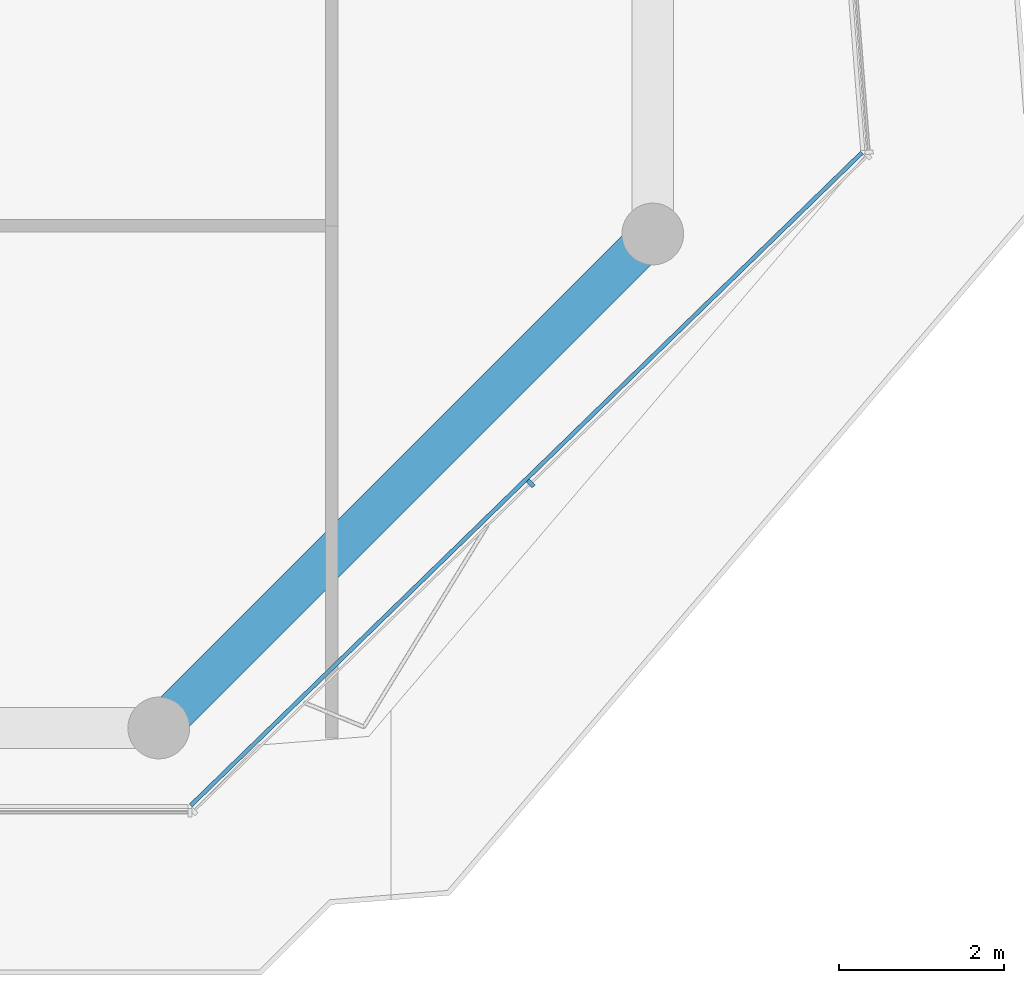
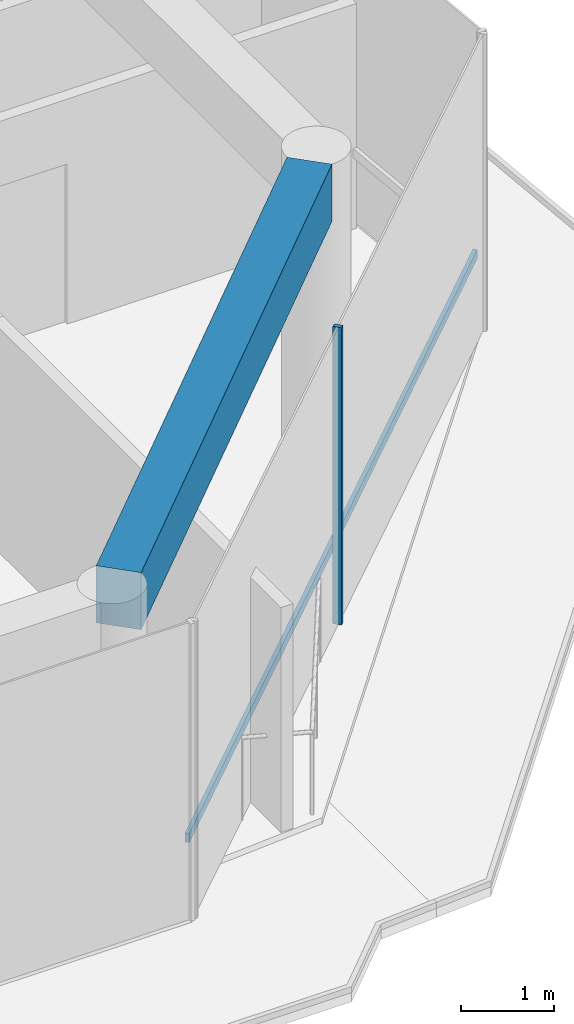
# One storey, part 4 of 20: 2 members, 1 beam, 1 element without a shape of its own.
"""IFC4 building model written with IfcOpenShell, lengths in metres."""

import ifcopenshell
import ifcopenshell.guid

model = None  # the IFC model being written
_history = None  # IfcOwnerHistory: only IFC2X3 demands one
_inside = {}  # id of a spatial element -> (the spatial element, [elements in it])
_under = {}  # id of a project, library or spatial element -> (it, [spatial elements below it])
_declared = {}  # id of a project -> (the project, [libraries it declares])
_typed = {}  # id of a type object -> (the type object, [elements of that type])
_made_of = {}  # id of a material, layer set ... -> (it, [elements and type objects made of it])


def new_model(schema):
    """Start an empty IFC model of exactly this schema.

    Asked for "IFC4X3", IfcOpenShell would pick the latest addendum, in which some entities
    have other attributes; the version numbers below select the first issue.
    IFC2X3 requires an IfcOwnerHistory on every rooted entity: one is made here for all.
    """
    global model, _history
    if schema == "IFC4X3":
        model = ifcopenshell.file(schema_version=(4, 3, 0, 0))
    else:
        model = ifcopenshell.file(schema=schema)
    _inside.clear()
    _under.clear()
    _declared.clear()
    _typed.clear()
    _made_of.clear()
    _history = None
    if model.schema == "IFC2X3":
        org = make("IfcOrganization", Name="unknown")
        user = make(
            "IfcPersonAndOrganization",
            ThePerson=make("IfcPerson", FamilyName="unknown"),
            TheOrganization=org,
        )
        app = make(
            "IfcApplication",
            ApplicationDeveloper=org,
            Version="unknown",
            ApplicationFullName="unknown",
            ApplicationIdentifier="unknown",
        )
        _history = make(
            "IfcOwnerHistory",
            OwningUser=user,
            OwningApplication=app,
            ChangeAction="ADDED",
            CreationDate=0,
        )
    return model


def make(cls, **values):
    """One entity of the class cls with the attributes given. An attribute that is None is left unset."""
    return model.create_entity(
        cls, **{name: value for name, value in values.items() if value is not None}
    )


def rooted(cls, **values):
    """An entity with a GlobalId (a new one), such as an element, a storey or a relation."""
    return make(cls, GlobalId=ifcopenshell.guid.new(), OwnerHistory=_history, **values)


def si_unit(unit_type, name, prefix=None):
    """IfcSIUnit, for example si_unit("LENGTHUNIT", "METRE", prefix="MILLI")."""
    return make("IfcSIUnit", UnitType=unit_type, Prefix=prefix, Name=name)


def assignment(units):
    """IfcUnitAssignment: the units of a project."""
    return None if units is None else make("IfcUnitAssignment", Units=units)


def point(xyz):
    """IfcCartesianPoint."""
    return None if xyz is None else make("IfcCartesianPoint", Coordinates=xyz)


def direction(xyz):
    """IfcDirection."""
    return None if xyz is None else make("IfcDirection", DirectionRatios=xyz)


def frame(location, z_axis=None, x_axis=None):
    """IfcAxis2Placement3D, a coordinate frame: its origin and axes. An axis left out is left unset."""
    return make(
        "IfcAxis2Placement3D",
        Location=point(location),
        Axis=direction(z_axis),
        RefDirection=direction(x_axis),
    )


def frame_2d(location, x_axis=None):
    """IfcAxis2Placement2D, a coordinate frame in the plane: its origin and x axis."""
    return make(
        "IfcAxis2Placement2D", Location=point(location), RefDirection=direction(x_axis)
    )


def origin():
    """The frame at (0, 0, 0) with its axes left unset."""
    return frame((0.0, 0.0, 0.0))


def origin_2d():
    """The frame at (0, 0) in the plane with its x axis left unset."""
    return frame_2d((0.0, 0.0))


def place(relative_to, where):
    """IfcLocalPlacement: puts the frame where relative to a parent placement (None: the world)."""
    return make(
        "IfcLocalPlacement", PlacementRelTo=relative_to, RelativePlacement=where
    )


def context(
    kind, dimensions, precision=None, world=None, true_north=None, identifier=None
):
    """IfcGeometricRepresentationContext, for example the 3D "Model" context."""
    return make(
        "IfcGeometricRepresentationContext",
        ContextIdentifier=identifier,
        ContextType=kind,
        CoordinateSpaceDimension=dimensions,
        Precision=precision,
        WorldCoordinateSystem=world,
        TrueNorth=true_north,
    )


def subcontext(parent, identifier, kind, view, scale=None):
    """IfcGeometricRepresentationSubContext, for example "Body" below "Model"."""
    return make(
        "IfcGeometricRepresentationSubContext",
        ContextIdentifier=identifier,
        ContextType=kind,
        ParentContext=parent,
        TargetScale=scale,
        TargetView=view,
    )


def project(units=None, contexts=None):
    """IfcProject with its units and contexts."""
    return rooted(
        "IfcProject",
        Name="project",
        RepresentationContexts=contexts,
        UnitsInContext=assignment(units),
    )


def spatial(cls, under=None, at=None, **own):
    """A site, building, storey or space (cls), placed at a placement, below another one or the project."""
    s = rooted(cls, ObjectPlacement=at, **own)
    if under is not None:
        _under.setdefault(under.id(), (under, []))[1].append(s)
    return s


def profile(cls, at=None, kind="AREA", **sizes):
    """A parametric profile (cls). Its sizes go by their IFC names, for example OverallWidth=200.0."""
    return make(cls, ProfileType=kind, Position=at, **sizes)


def rectangle(**sizes):
    """IfcRectangleProfileDef."""
    return profile("IfcRectangleProfileDef", **sizes)


def extrude(swept, where, along, depth):
    """IfcExtrudedAreaSolid: the profile swept, set in the frame where, extruded along a direction by depth."""
    return make(
        "IfcExtrudedAreaSolid",
        SweptArea=swept,
        Position=where,
        ExtrudedDirection=direction(along),
        Depth=depth,
    )


def shape(context_of_items, identifier, shape_type, items):
    """IfcShapeRepresentation: the items that make up one representation, for example the "Body"."""
    return make(
        "IfcShapeRepresentation",
        ContextOfItems=context_of_items,
        RepresentationIdentifier=identifier,
        RepresentationType=shape_type,
        Items=items,
    )


def material(Name=None, Category=None):
    """IfcMaterial."""
    return make("IfcMaterial", Name=Name, Category=Category)


def layer(
    of_material, thickness, ventilated=None, Name=None, Category=None, Priority=None
):
    """IfcMaterialLayer: one layer of a wall or slab, of a material (None: an air gap)."""
    return make(
        "IfcMaterialLayer",
        Material=of_material,
        LayerThickness=thickness,
        IsVentilated=ventilated,
        Name=Name,
        Category=Category,
        Priority=Priority,
    )


def layer_set(layers, Name=None):
    """IfcMaterialLayerSet."""
    return make("IfcMaterialLayerSet", MaterialLayers=layers, LayerSetName=Name)


def material_profile(
    of_material, cross_section, Name=None, Category=None, Priority=None
):
    """IfcMaterialProfile: a cross section and its material."""
    return make(
        "IfcMaterialProfile",
        Name=Name,
        Material=of_material,
        Profile=cross_section,
        Priority=Priority,
        Category=Category,
    )


def profile_set(profiles, Name=None, composite=None):
    """IfcMaterialProfileSet."""
    return make(
        "IfcMaterialProfileSet",
        Name=Name,
        MaterialProfiles=profiles,
        CompositeProfile=composite,
    )


def made_of(thing, what):
    """Note that an element or type object is made of a material, layer set ...; save() writes the relation."""
    if what is not None:
        _made_of.setdefault(what.id(), (what, []))[1].append(thing)
    return thing


def type_object(cls, material=None, **own):
    """A type object (cls), such as IfcWallType, which elements share."""
    return made_of(rooted(cls, **own), material)


def element(
    cls,
    number,
    at=None,
    inside=None,
    cuts=None,
    type_object=None,
    material=None,
    context=None,
    identifier="Body",
    shape_type=None,
    held_by="IfcProductDefinitionShape",
    body=None,
    shapes=None,
    **own,
):
    """One element of the class cls, such as IfcWall. Its Tag is "e" and its number.

    at: its placement. inside: the storey or other place that contains it. cuts: it is an
    opening in that element (IfcRelVoidsElement). A single representation is given by context,
    identifier, shape_type and body (its items); several are given by shapes. held_by: the class
    of the entity that holds the representations. save() writes the other relations.
    """
    e = rooted(cls, Tag="e%d" % number, ObjectPlacement=at, **own)
    if body is not None:
        shapes = [shape(context, identifier, shape_type, body)]
    if shapes is not None:
        e.Representation = make(held_by, Representations=shapes)
    if inside is not None:
        _inside.setdefault(inside.id(), (inside, []))[1].append(e)
    if cuts is not None:
        rooted(
            "IfcRelVoidsElement", RelatingBuildingElement=cuts, RelatedOpeningElement=e
        )
    if type_object is not None:
        _typed.setdefault(type_object.id(), (type_object, []))[1].append(e)
    return made_of(e, material)


def aggregate(whole, parts):
    """IfcRelAggregates: a whole, such as a stair, and the parts it consists of."""
    return rooted("IfcRelAggregates", RelatingObject=whole, RelatedObjects=parts)


def save(model, path):
    """Write the relations noted so far, then the file.

    IfcRelAggregates (storeys below a building ...), IfcRelContainedInSpatialStructure (elements
    in a storey), IfcRelDefinesByType, IfcRelAssociatesMaterial and IfcRelDeclares: one each for
    every whole, place, type object, material and project.
    """
    for whole, parts in _under.values():
        aggregate(whole, parts)
    for where, things in _inside.values():
        rooted(
            "IfcRelContainedInSpatialStructure",
            RelatedElements=things,
            RelatingStructure=where,
        )
    for kind, things in _typed.values():
        rooted("IfcRelDefinesByType", RelatedObjects=things, RelatingType=kind)
    for what, things in _made_of.values():
        rooted("IfcRelAssociatesMaterial", RelatedObjects=things, RelatingMaterial=what)
    for by, libraries in _declared.values():
        rooted("IfcRelDeclares", RelatingContext=by, RelatedDefinitions=libraries)
    model.write(path)


model = new_model("IFC4")

# Units and contexts
model_context = context("Model", 3, precision=1e-05, world=origin(), true_north=direction((0.0, 1.0)))
body_context = subcontext(model_context, "Body", "Model", "MODEL_VIEW")
ifc_project = project(units=[si_unit("LENGTHUNIT", "METRE"), si_unit("AREAUNIT", "SQUARE_METRE"), si_unit("VOLUMEUNIT", "CUBIC_METRE"), si_unit("PLANEANGLEUNIT", "RADIAN"), si_unit("MASSUNIT", "GRAM", prefix="KILO")], contexts=[model_context])

# Site, building, storey
site_placement = place(None, origin())
site = spatial("IfcSite", under=ifc_project, at=site_placement, CompositionType="ELEMENT")
building_placement = place(site_placement, origin())
building = spatial("IfcBuilding", under=site, at=building_placement, Name="Welwitschia Terrace Campus", CompositionType="ELEMENT")
storey_placement = place(building_placement, frame((0.0, 0.0, 314.60009765625)))
storey = spatial("IfcBuildingStorey", under=building, at=storey_placement, Name="L70", CompositionType="ELEMENT", Elevation=314.60009765625)

# Curtain wall, member
ifc_material_1 = material(Name="Bronze anodised aluminium", Category="aluminium")
ifc_layer = layer(ifc_material_1, 0.10009765625)
ifc_layer_set = layer_set([ifc_layer], Name="Bronze anodised aluminium")
curtain_wall_type = type_object("IfcCurtainWallType", Name="Curtain wall CW5 crown 6000", PredefinedType="NOTDEFINED", material=ifc_layer_set)
curtain_wall_placement = place(storey_placement, origin())
curtain_wall = element("IfcCurtainWall", 1, at=curtain_wall_placement, inside=storey, type_object=curtain_wall_type, Name="CW L70.2.0", PredefinedType="NOTDEFINED")
ifc_material_2 = material(Name="Bronze anodised aluminium", Category="aluminium")
ifc_material_profile_1 = material_profile(ifc_material_2, rectangle(XDim=0.10009765625, YDim=0.050048828125, at=origin_2d()))
ifc_profile_set_1 = profile_set([ifc_material_profile_1], Name="Bronze anodised aluminium")
member_type_1 = type_object("IfcMemberType", Name="Mullion 50x100", PredefinedType="MULLION", material=ifc_profile_set_1)
member_1_placement = place(storey_placement, frame((28.516845703125, -1.0302734375, 0.0), z_axis=(0.0, 0.0, 1.0), x_axis=(-0.697209979532, 0.716866964255, 0.0)))
member_1 = element("IfcMember", 2, at=member_1_placement, type_object=member_type_1, Name="Mullion L70.2.0.1", PredefinedType="MULLION", context=body_context, shape_type="SweptSolid", body=[
    extrude(rectangle(XDim=0.10009765625, YDim=0.050048828125, at=origin_2d()), origin(), (0.0, 0.0, 1.0), 3.89990234375),
])

# Beam
ifc_material_3 = material(Name="Concrete C40/50", Category="concrete")
ifc_material_profile_2 = material_profile(ifc_material_3, rectangle(XDim=0.5, YDim=0.75, at=origin_2d()))
ifc_profile_set_2 = profile_set([ifc_material_profile_2], Name="Concrete C40/50")
beam_type = type_object("IfcBeamType", Name="Ring spandrel 500x750", PredefinedType="SPANDREL", material=ifc_profile_set_2)
beam_placement = place(storey_placement, frame((24.1982421875, -3.8017578125, 3.52490234375), z_axis=(0.707106781187, 0.707106781187, 0.0), x_axis=(-0.707106781187, 0.707106781187, 0.0)))
element("IfcBeam", 3, at=beam_placement, inside=storey, type_object=beam_type, Name="Spandrel SP5", PredefinedType="SPANDREL", context=body_context, shape_type="SweptSolid", body=[
    extrude(rectangle(XDim=0.5, YDim=0.75, at=origin_2d()), origin(), (0.0, 0.0, 1.0), 7.924560546875),
])

# Member
ifc_material_4 = material(Name="Bronze anodised aluminium", Category="aluminium")
ifc_material_profile_3 = material_profile(ifc_material_4, rectangle(XDim=0.050048828125, YDim=0.1201171875, at=origin_2d()))
ifc_profile_set_3 = profile_set([ifc_material_profile_3], Name="Bronze anodised aluminium")
member_type_2 = type_object("IfcMemberType", Name="Transom 50x120", PredefinedType="USERDEFINED", material=ifc_profile_set_3)
member_2_placement = place(storey_placement, frame((24.387939453125, -4.94140625, 1.0), z_axis=(0.716859011485, 0.697218156428, 0.0), x_axis=(-0.697218156428, 0.716859011485, 0.0)))
member_2 = element("IfcMember", 4, at=member_2_placement, type_object=member_type_2, Name="Transom L70.2.0", ObjectType="TRANSOM", PredefinedType="USERDEFINED", context=body_context, shape_type="SweptSolid", body=[
    extrude(rectangle(XDim=0.050048828125, YDim=0.1201171875, at=origin_2d()), origin(), (0.0, 0.0, 1.0), 11.373779296875),
])

aggregate(curtain_wall, [member_1, member_2])

save(model, "model.ifc")
